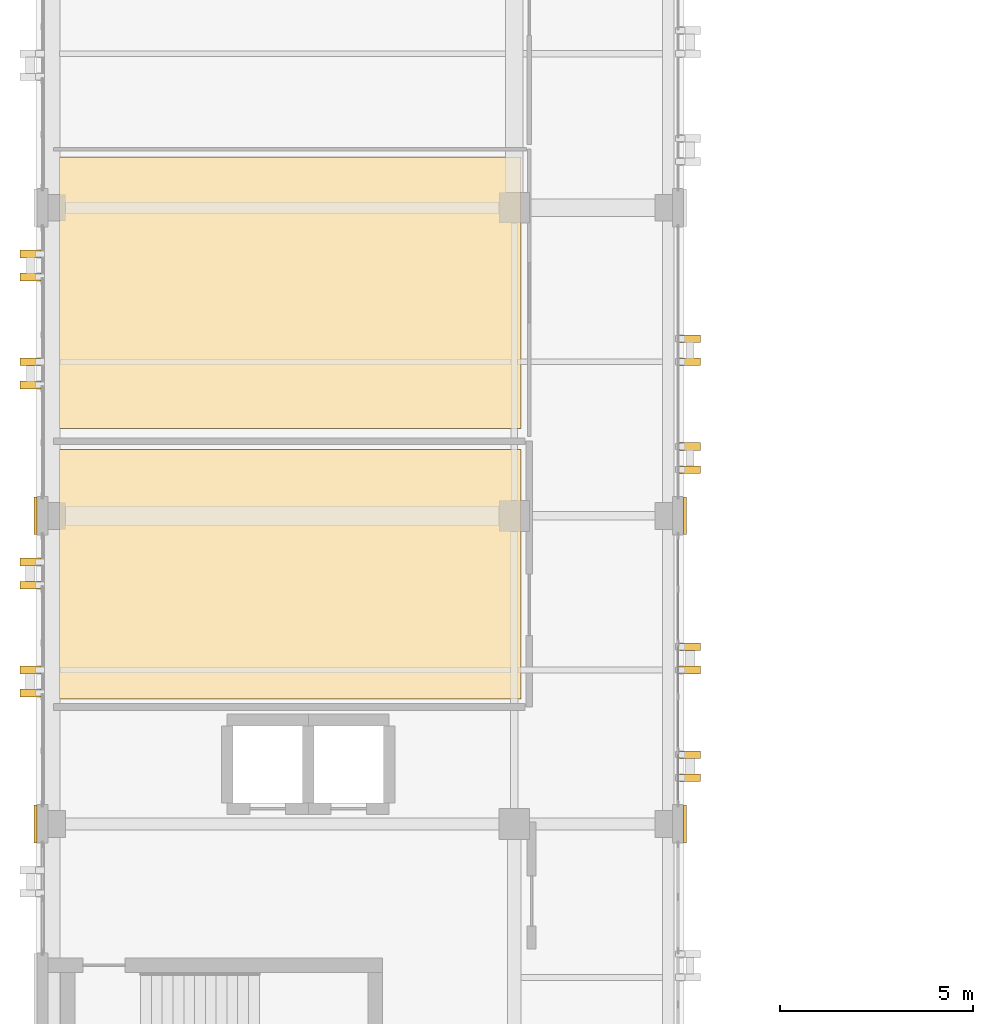
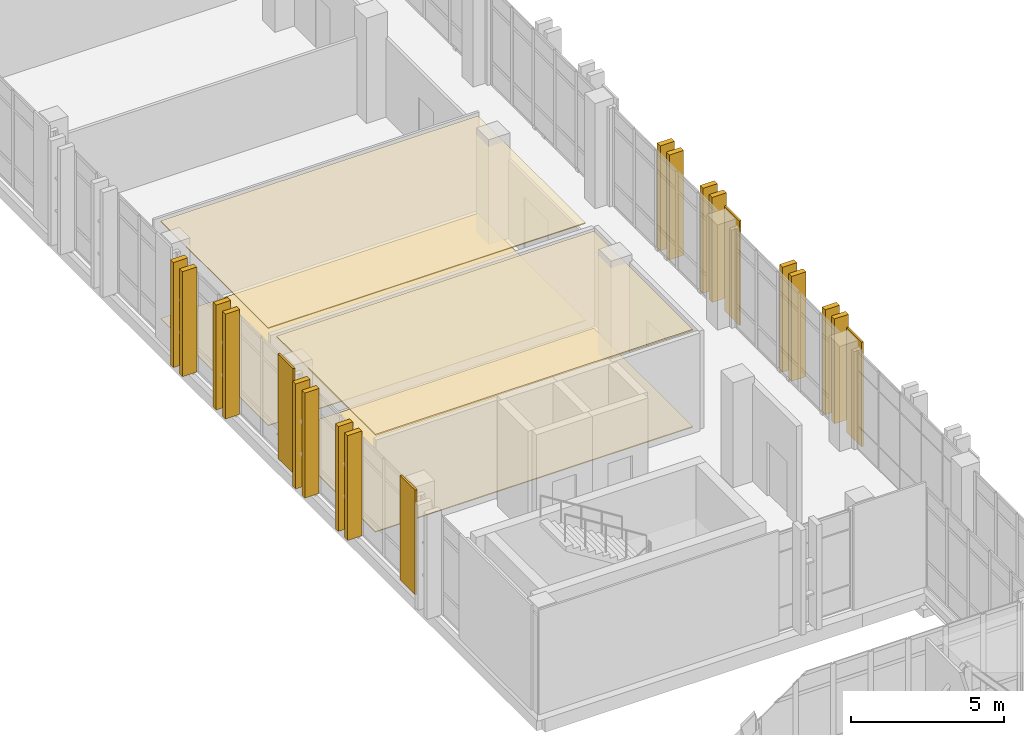
# One storey, part 151 of 165: 24 coverings.
"""IFC4 building model written with IfcOpenShell, lengths in metres."""

from ifc_helpers import new_model, si_unit, direction, frame, origin, origin_2d, place, context, subcontext, project, spatial, polyline, rectangle, outline, extrude, material, layer, layer_set, type_object, element, save


model = new_model("IFC4")

# Units and contexts
model_context = context("Model", 3, precision=1e-05, world=origin(), true_north=direction((0.0, 1.0)))
body_context = subcontext(model_context, "Body", "Model", "MODEL_VIEW")
ifc_project = project(units=[si_unit("LENGTHUNIT", "METRE"), si_unit("AREAUNIT", "SQUARE_METRE"), si_unit("VOLUMEUNIT", "CUBIC_METRE"), si_unit("PLANEANGLEUNIT", "RADIAN"), si_unit("MASSUNIT", "GRAM", prefix="KILO")], contexts=[model_context])

# Site, building, storey
site_placement = place(None, origin())
site = spatial("IfcSite", under=ifc_project, at=site_placement, CompositionType="ELEMENT")
building_placement = place(site_placement, origin())
building = spatial("IfcBuilding", under=site, at=building_placement, Name="Qalavern Law Courts", CompositionType="ELEMENT")
storey_placement = place(building_placement, frame((0.0, 0.0, 14.39990234375)))
storey = spatial("IfcBuildingStorey", under=building, at=storey_placement, Name="L03", CompositionType="ELEMENT", Elevation=14.39990234375)

# Coverings
ifc_material_1 = material(Name="Precast concrete C40/50", Category="concrete")
ifc_layer_1 = layer(ifc_material_1, 0.199951171875)
ifc_layer_set_1 = layer_set([ifc_layer_1], Name="Precast concrete C40/50")
covering_type_1 = type_object("IfcCoveringType", Name="ENV-BLD-1", PredefinedType="CLADDING", material=ifc_layer_set_1)
for number, where, z_axis, x_axis, name in (
    (1, (18.96240234375, 50.60009765625, 0.005126953125), (0.0, 0.0, 1.0), (1.0, 0.0, 0.0), "Absheron stone facade blade 0305"),
    (2, (18.96240234375, 51.199951171875, 0.005126953125), (0.0, 0.0, 1.0), (1.0, 0.0, 0.0), "Absheron stone facade blade 0306"),
    (3, (18.96240234375, 53.39990234375, 0.005126953125), (0.0, 0.0, 1.0), (1.0, 0.0, 0.0), "Absheron stone facade blade 0307"),
    (4, (18.96240234375, 54.0, 0.005126953125), (0.0, 0.0, 1.0), (1.0, 0.0, 0.0), "Absheron stone facade blade 0308"),
    (5, (18.96240234375, 58.60009765625, 0.005126953125), (0.0, 0.0, 1.0), (1.0, 0.0, 0.0), "Absheron stone facade blade 0309"),
    (6, (18.96240234375, 59.199951171875, 0.005126953125), (0.0, 0.0, 1.0), (1.0, 0.0, 0.0), "Absheron stone facade blade 0310"),
    (7, (18.96240234375, 61.39990234375, 0.005126953125), (0.0, 0.0, 1.0), (1.0, 0.0, 0.0), "Absheron stone facade blade 0311"),
    (8, (18.96240234375, 62.0, 0.005126953125), (0.0, 0.0, 1.0), (1.0, 0.0, 0.0), "Absheron stone facade blade 0312"),
    (9, (1.83740234375, 64.199951171875, 0.005126953125), (0.0, 0.0, 1.0), (-1.0, 0.0, 0.0), "Absheron stone facade blade 0341"),
    (10, (1.83740234375, 63.60009765625, 0.005126953125), (0.0, 0.0, 1.0), (-1.0, 0.0, 0.0), "Absheron stone facade blade 0342"),
    (11, (1.83740234375, 61.39990234375, 0.005126953125), (0.0, 0.0, 1.0), (-1.0, 0.0, 0.0), "Absheron stone facade blade 0343"),
    (12, (1.83740234375, 60.800048828125, 0.005126953125), (0.0, 0.0, 1.0), (-1.0, 0.0, 0.0), "Absheron stone facade blade 0344"),
    (13, (1.83740234375, 56.199951171875, 0.005126953125), (0.0, 0.0, 1.0), (-1.0, 0.0, 0.0), "Absheron stone facade blade 0345"),
    (14, (1.83740234375, 55.60009765625, 0.005126953125), (0.0, 0.0, 1.0), (-1.0, 0.0, 0.0), "Absheron stone facade blade 0346"),
    (15, (1.83740234375, 53.39990234375, 0.005126953125), (0.0, 0.0, 1.0), (-1.0, 0.0, 0.0), "Absheron stone facade blade 0347"),
    (16, (1.83740234375, 52.800048828125, 0.005126953125), (0.0, 0.0, 1.0), (-1.0, 0.0, 0.0), "Absheron stone facade blade 0348"),
):
    element("IfcCovering", number, at=place(storey_placement, frame(where, z_axis=z_axis, x_axis=x_axis)), inside=storey, type_object=covering_type_1, Name=name, PredefinedType="CLADDING", context=body_context, shape_type="SweptSolid", body=[
        extrude(rectangle(XDim=0.5400390625, YDim=0.199951171875, at=origin_2d()), origin(), (0.0, 0.0, 1.0), 4.18994140625),
    ])
ifc_layer_2 = layer(ifc_material_1, 0.072021484375)
ifc_layer_set_2 = layer_set([ifc_layer_2], Name="Precast concrete C40/50")
covering_type_2 = type_object("IfcCoveringType", Name="ENV-CLD-2", PredefinedType="CLADDING", material=ifc_layer_set_2)
for number, where, z_axis, x_axis, name in (
    (17, (18.8330078125, 49.39990234375, 0.01025390625), (0.0, 0.0, 1.0), (0.0, 1.0, 0.0), "V3 Absheron limestone pier facing L03 east 2"),
    (18, (18.8330078125, 57.39990234375, 0.01025390625), (0.0, 0.0, 1.0), (0.0, 1.0, 0.0), "V3 Absheron limestone pier facing L03 east 3"),
    (19, (1.967041015625, 57.39990234375, 0.01025390625), (0.0, 0.0, 1.0), (0.0, -1.0, 0.0), "V3 Absheron limestone pier facing L03 west 6"),
    (20, (1.967041015625, 49.39990234375, 0.01025390625), (0.0, 0.0, 1.0), (0.0, -1.0, 0.0), "V3 Absheron limestone pier facing L03 west 7"),
):
    element("IfcCovering", number, at=place(storey_placement, frame(where, z_axis=z_axis, x_axis=x_axis)), inside=storey, type_object=covering_type_2, Name=name, PredefinedType="CLADDING", context=body_context, shape_type="SweptSolid", body=[
        extrude(rectangle(XDim=0.97998046875, YDim=0.072021484375, at=origin_2d()), origin(), (0.0, 0.0, 1.0), 4.179931640625),
    ])
ifc_material_2 = material(Name="Perforated gypsum and mineral-wool acoustic ceiling")
ifc_layer_3 = layer(ifc_material_2, 0.0380859375)
ifc_layer_set_3 = layer_set([ifc_layer_3], Name="Perforated gypsum and mineral-wool acoustic ceiling")
covering_type_3 = type_object("IfcCoveringType", Name="INT-CEIL-1", PredefinedType="CEILING", material=ifc_layer_set_3)
covering_1_placement = place(storey_placement, frame((0.0, 0.0, 3.882080078125)))
element("IfcCovering", 21, at=covering_1_placement, inside=storey, type_object=covering_type_3, Name="Administrative Courtroom acoustic ceiling L03", PredefinedType="CEILING", context=body_context, shape_type="SweptSolid", body=[
    extrude(outline(polyline([(2.590087890625, 59.66796875), (14.580078125, 59.66796875), (14.580078125, 66.714111328125), (2.590087890625, 66.714111328125), (2.590087890625, 59.66796875)])), origin(), (0.0, 0.0, 1.0), 0.0380859375),
])
ifc_material_3 = material(Name="Slatted oak acoustic timber baffle ceiling", Category="wood")
ifc_layer_4 = layer(ifc_material_3, 0.055908203125)
ifc_layer_set_4 = layer_set([ifc_layer_4], Name="Slatted oak acoustic timber baffle ceiling")
covering_type_4 = type_object("IfcCoveringType", Name="INT-CEIL-3", PredefinedType="CEILING", material=ifc_layer_set_4)
covering_2_placement = place(storey_placement, frame((0.0, 0.0, 3.864013671875)))
element("IfcCovering", 22, at=covering_2_placement, inside=storey, type_object=covering_type_4, Name="Criminal Courtroom acoustic ceiling L03", PredefinedType="CEILING", context=body_context, shape_type="SweptSolid", body=[
    extrude(outline(polyline([(2.590087890625, 52.64990234375), (14.580078125, 52.64990234375), (14.580078125, 59.1279296875), (2.590087890625, 59.1279296875), (2.590087890625, 52.64990234375)])), origin(), (0.0, 0.0, 1.0), 0.05615234375),
])
ifc_material_4 = material(Name="Acoustic engineered oak courtroom flooring")
ifc_layer_5 = layer(ifc_material_4, 0.02197265625)
ifc_layer_set_5 = layer_set([ifc_layer_5], Name="Acoustic engineered oak courtroom flooring")
covering_type_5 = type_object("IfcCoveringType", Name="INT-FLR-1", PredefinedType="FLOORING", material=ifc_layer_set_5)
covering_3_placement = place(storey_placement, origin())
element("IfcCovering", 23, at=covering_3_placement, inside=storey, type_object=covering_type_5, Name="Administrative Courtroom finish flooring L03", PredefinedType="FLOORING", context=body_context, shape_type="SweptSolid", body=[
    extrude(outline(polyline([(2.590087890625, 59.66796875), (14.580078125, 59.66796875), (14.580078125, 66.714111328125), (2.590087890625, 66.714111328125), (2.590087890625, 59.66796875)])), origin(), (0.0, 0.0, 1.0), 0.022216796875),
])
ifc_layer_6 = layer(ifc_material_4, 0.0380859375)
ifc_layer_set_6 = layer_set([ifc_layer_6], Name="Acoustic engineered oak courtroom flooring")
covering_type_6 = type_object("IfcCoveringType", Name="INT-FLR-3", PredefinedType="FLOORING", material=ifc_layer_set_6)
covering_4_placement = place(storey_placement, origin())
element("IfcCovering", 24, at=covering_4_placement, inside=storey, type_object=covering_type_6, Name="Criminal Courtroom finish flooring L03", PredefinedType="FLOORING", context=body_context, shape_type="SweptSolid", body=[
    extrude(outline(polyline([(2.590087890625, 52.64990234375), (14.580078125, 52.64990234375), (14.580078125, 59.1279296875), (2.590087890625, 59.1279296875), (2.590087890625, 52.64990234375)])), origin(), (0.0, 0.0, 1.0), 0.0380859375),
])

save(model, "model.ifc")
